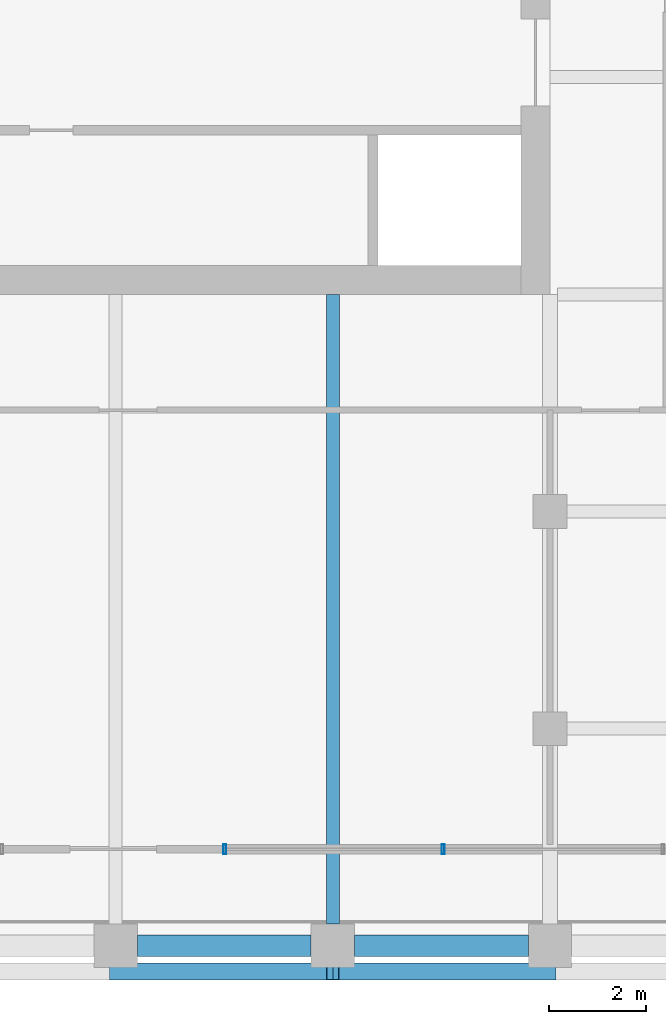
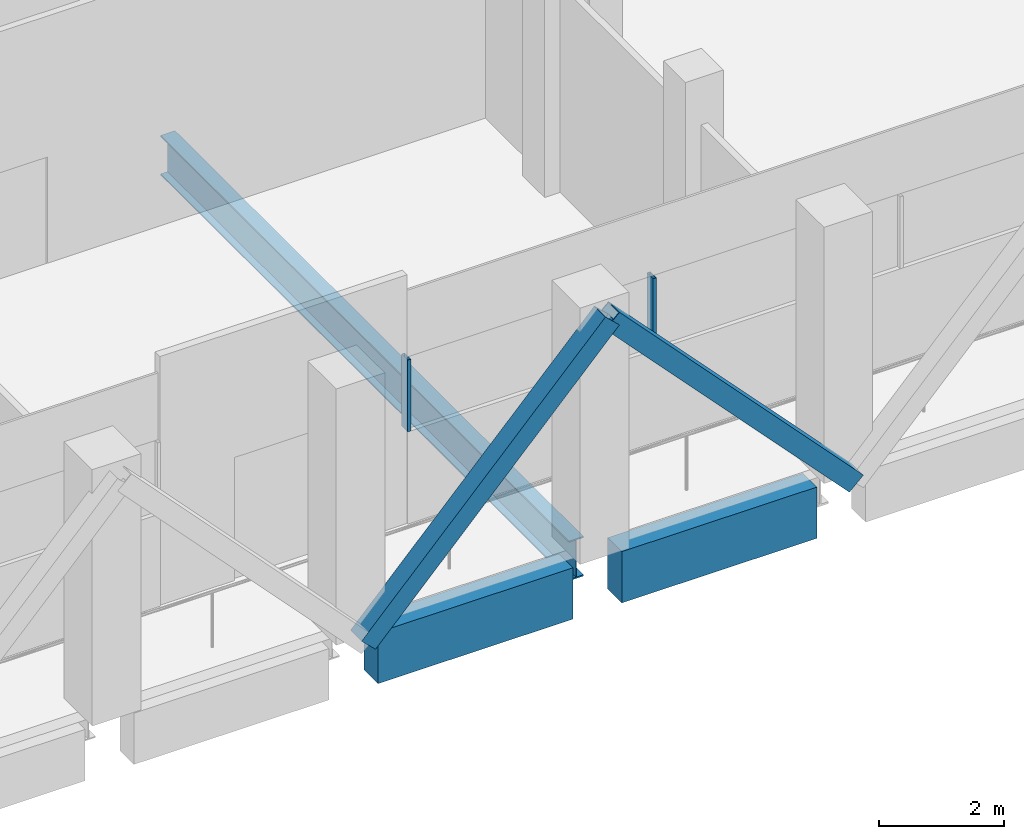
# One storey, part 6 of 34: 4 members, 3 beams, 1 element without a shape of its own.
"""IFC4 building model written with IfcOpenShell, lengths in metres."""

from ifc_helpers import new_model, si_unit, direction, frame, origin, origin_2d, place, context, subcontext, project, spatial, rectangle, hollow_rectangle, i_section, extrude, material, material_profile, profile_set, type_object, element, aggregate, save


model = new_model("IFC4")

# Units and contexts
model_context = context("Model", 3, precision=1e-05, world=origin(), true_north=direction((0.0, 1.0)))
body_context = subcontext(model_context, "Body", "Model", "MODEL_VIEW")
ifc_project = project(units=[si_unit("LENGTHUNIT", "METRE"), si_unit("AREAUNIT", "SQUARE_METRE"), si_unit("VOLUMEUNIT", "CUBIC_METRE"), si_unit("PLANEANGLEUNIT", "RADIAN"), si_unit("MASSUNIT", "GRAM", prefix="KILO")], contexts=[model_context])

# Site, building, storey
site_placement = place(None, origin())
site = spatial("IfcSite", under=ifc_project, at=site_placement, CompositionType="ELEMENT")
building_placement = place(site_placement, origin())
building = spatial("IfcBuilding", under=site, at=building_placement, Name="Altepetl Exchange Towers", CompositionType="ELEMENT")
storey_placement = place(building_placement, frame((0.0, 0.0, 190.60009765625)))
storey = spatial("IfcBuildingStorey", under=building, at=storey_placement, Name="L48 Refuge", CompositionType="ELEMENT", Elevation=190.60009765625)

# Members
ifc_material_1 = material(Name="Steel S355", Category="steel")
ifc_material_profile_1 = material_profile(ifc_material_1, hollow_rectangle(XDim=0.35595703125, YDim=0.35595703125, WallThickness=0.014892578125, at=origin_2d()), Name="HSS356X356X15.9")
ifc_profile_set_1 = profile_set([ifc_material_profile_1], Name="Steel S355")
member_type_1 = type_object("IfcMemberType", Name="Belt diagonal HSS356X356X15.9", PredefinedType="BRACE", material=ifc_profile_set_1)
for number, where, z_axis, x_axis, name in (
    (1, (49.5, 26.469970703125, 0.0), (0.687744647911, 0.0, 0.725952683906), (0.0, 1.0, 0.0), "brc:A:L48:004"),
    (2, (54.0, 26.469970703125, 4.75), (0.687744647911, 0.0, -0.725952683906), (0.0, 1.0, 0.0), "brc:A:L48:005"),
):
    element("IfcMember", number, at=place(storey_placement, frame(where, z_axis=z_axis, x_axis=x_axis)), inside=storey, type_object=member_type_1, Name=name, PredefinedType="BRACE", context=body_context, shape_type="SweptSolid", body=[
        extrude(hollow_rectangle(XDim=0.35595703125, YDim=0.35595703125, WallThickness=0.014892578125, at=origin_2d()), origin(), (0.0, 0.0, 1.0), 6.543212890625),
    ])

# Beam
ifc_material_profile_2 = material_profile(ifc_material_1, i_section(OverallWidth=0.26806640625, OverallDepth=0.77392578125, WebThickness=0.015380859375, FlangeThickness=0.025390625, at=origin_2d()), Name="W30X132")
ifc_profile_set_2 = profile_set([ifc_material_profile_2], Name="Steel S355")
beam_type_1 = type_object("IfcBeamType", Name="Floor beam W30X132", PredefinedType="BEAM", material=ifc_profile_set_2)
beam_placement = place(storey_placement, frame((54.0, 27.449951171875, -0.587158203125), z_axis=(0.0, 1.0, 0.0), x_axis=(-1.0, 0.0, 0.0)))
element("IfcBeam", 3, at=beam_placement, inside=storey, type_object=beam_type_1, Name="bm:A:L48:017", PredefinedType="BEAM", context=body_context, shape_type="SweptSolid", body=[
    extrude(i_section(OverallWidth=0.26806640625, OverallDepth=0.77392578125, WebThickness=0.015380859375, FlangeThickness=0.025390625, at=origin_2d()), origin(), (0.0, 0.0, 1.0), 13.050048828125),
])

# Curtain wall, members
ifc_material_2 = material(Name="Aluminium 6063-T6 glazing", Category="aluminium")
curtain_wall_type = type_object("IfcCurtainWallType", Name="Refuge slit glazing system", PredefinedType="NOTDEFINED", material=ifc_material_2)
curtain_wall_placement = place(storey_placement, origin())
curtain_wall = element("IfcCurtainWall", 4, at=curtain_wall_placement, inside=storey, type_object=curtain_wall_type, Name="CW3 run", PredefinedType="NOTDEFINED")
ifc_material_3 = material(Name="Aluminium 6063-T6", Category="aluminium")
ifc_material_profile_3 = material_profile(ifc_material_3, hollow_rectangle(XDim=0.06005859375, YDim=0.199951171875, WallThickness=0.0029296875, at=origin_2d()), Name="Mullion 60x200 aluminium")
ifc_profile_set_3 = profile_set([ifc_material_profile_3], Name="Aluminium 6063-T6")
member_type_2 = type_object("IfcMemberType", Name="Mullion 60x200 aluminium", PredefinedType="MULLION", material=ifc_profile_set_3)
member_1_placement = place(storey_placement, frame((51.758544921875, 29.0, 1.7998046875)))
member_1 = element("IfcMember", 5, at=member_1_placement, type_object=member_type_2, Name="MU2 mullion", PredefinedType="MULLION", context=body_context, shape_type="SweptSolid", body=[
    extrude(hollow_rectangle(XDim=0.06005859375, YDim=0.199951171875, WallThickness=0.0029296875, at=origin_2d()), origin(), (0.0, 0.0, 1.0), 1.400146484375),
])
member_2_placement = place(storey_placement, frame((56.28564453125, 29.0, 1.7998046875)))
member_2 = element("IfcMember", 6, at=member_2_placement, type_object=member_type_2, Name="MU2 mullion", PredefinedType="MULLION", context=body_context, shape_type="SweptSolid", body=[
    extrude(hollow_rectangle(XDim=0.06005859375, YDim=0.199951171875, WallThickness=0.0029296875, at=origin_2d()), origin(), (0.0, 0.0, 1.0), 1.400146484375),
])
aggregate(curtain_wall, [member_1, member_2])

# Beams
ifc_material_4 = material(Name="Concrete C50/60 precast with cantera blanca facing", Category="concrete")
ifc_material_profile_4 = material_profile(ifc_material_4, rectangle(XDim=0.449951171875, YDim=1.0, at=origin_2d()), Name="450 x 1000")
ifc_profile_set_4 = profile_set([ifc_material_profile_4], Name="Concrete C50/60 precast with cantera blanca facing")
beam_type_2 = type_object("IfcBeamType", Name="Spandrel beam 450x1000 cantera blanca", PredefinedType="SPANDREL", material=ifc_profile_set_4)
for number, where, z_axis, x_axis, name in (
    (7, (49.949951171875, 27.0, -0.7001953125), (1.0, 0.0, 0.0), (0.0, 1.0, 0.0), "sp:A:L48:004"),
    (8, (54.449951171875, 27.0, -0.7001953125), (1.0, 0.0, 0.0), (0.0, 1.0, 0.0), "sp:A:L48:005"),
):
    element("IfcBeam", number, at=place(storey_placement, frame(where, z_axis=z_axis, x_axis=x_axis)), inside=storey, type_object=beam_type_2, Name=name, PredefinedType="SPANDREL", context=body_context, shape_type="SweptSolid", body=[
        extrude(rectangle(XDim=0.449951171875, YDim=1.0, at=origin_2d()), origin(), (0.0, 0.0, 1.0), 3.60009765625),
    ])

save(model, "model.ifc")
